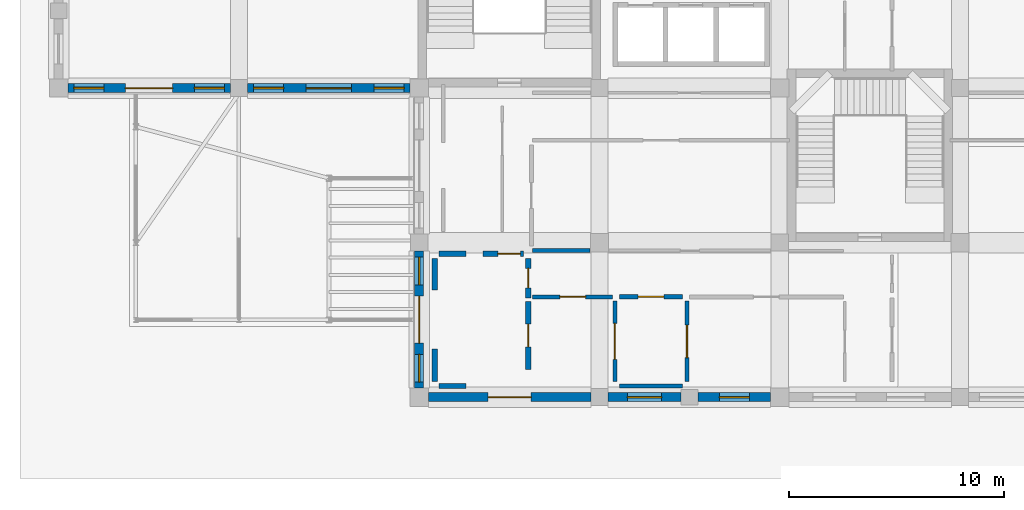
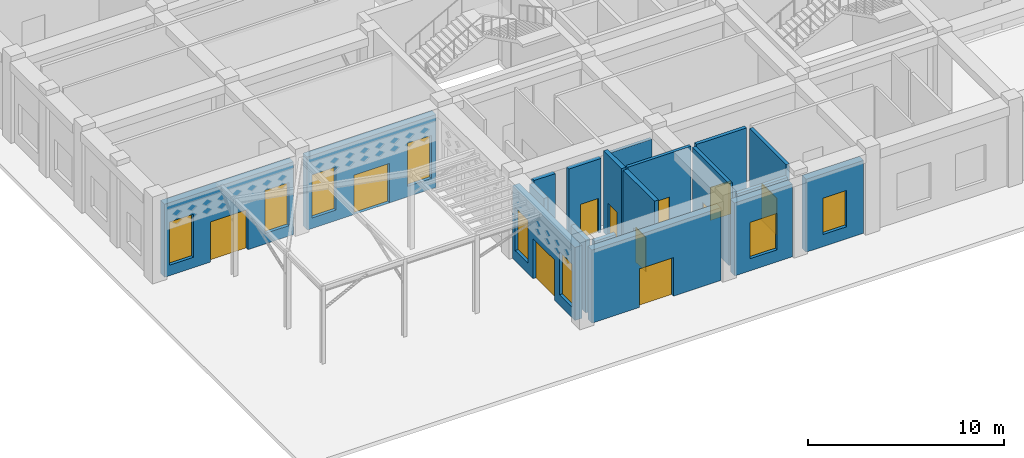
# One storey, part 59 of 84: 19 walls, 11 doors, 8 windows, 19 openings.
"""IFC4 building model written with IfcOpenShell, lengths in metres."""

import ifcopenshell
import ifcopenshell.guid

model = None  # the IFC model being written
_history = None  # IfcOwnerHistory: only IFC2X3 demands one
_inside = {}  # id of a spatial element -> (the spatial element, [elements in it])
_under = {}  # id of a project, library or spatial element -> (it, [spatial elements below it])
_declared = {}  # id of a project -> (the project, [libraries it declares])
_typed = {}  # id of a type object -> (the type object, [elements of that type])
_made_of = {}  # id of a material, layer set ... -> (it, [elements and type objects made of it])


def new_model(schema):
    """Start an empty IFC model of exactly this schema.

    Asked for "IFC4X3", IfcOpenShell would pick the latest addendum, in which some entities
    have other attributes; the version numbers below select the first issue.
    IFC2X3 requires an IfcOwnerHistory on every rooted entity: one is made here for all.
    """
    global model, _history
    if schema == "IFC4X3":
        model = ifcopenshell.file(schema_version=(4, 3, 0, 0))
    else:
        model = ifcopenshell.file(schema=schema)
    _inside.clear()
    _under.clear()
    _declared.clear()
    _typed.clear()
    _made_of.clear()
    _history = None
    if model.schema == "IFC2X3":
        org = make("IfcOrganization", Name="unknown")
        user = make(
            "IfcPersonAndOrganization",
            ThePerson=make("IfcPerson", FamilyName="unknown"),
            TheOrganization=org,
        )
        app = make(
            "IfcApplication",
            ApplicationDeveloper=org,
            Version="unknown",
            ApplicationFullName="unknown",
            ApplicationIdentifier="unknown",
        )
        _history = make(
            "IfcOwnerHistory",
            OwningUser=user,
            OwningApplication=app,
            ChangeAction="ADDED",
            CreationDate=0,
        )
    return model


def make(cls, **values):
    """One entity of the class cls with the attributes given. An attribute that is None is left unset."""
    return model.create_entity(
        cls, **{name: value for name, value in values.items() if value is not None}
    )


def rooted(cls, **values):
    """An entity with a GlobalId (a new one), such as an element, a storey or a relation."""
    return make(cls, GlobalId=ifcopenshell.guid.new(), OwnerHistory=_history, **values)


def si_unit(unit_type, name, prefix=None):
    """IfcSIUnit, for example si_unit("LENGTHUNIT", "METRE", prefix="MILLI")."""
    return make("IfcSIUnit", UnitType=unit_type, Prefix=prefix, Name=name)


def derived_unit(unit_type, elements):
    """IfcDerivedUnit: a product of units, each with its exponent."""
    return make(
        "IfcDerivedUnit",
        Elements=[
            make("IfcDerivedUnitElement", Unit=unit, Exponent=power)
            for unit, power in elements
        ],
        UnitType=unit_type,
    )


def assignment(units):
    """IfcUnitAssignment: the units of a project."""
    return None if units is None else make("IfcUnitAssignment", Units=units)


def point(xyz):
    """IfcCartesianPoint."""
    return None if xyz is None else make("IfcCartesianPoint", Coordinates=xyz)


def direction(xyz):
    """IfcDirection."""
    return None if xyz is None else make("IfcDirection", DirectionRatios=xyz)


def frame(location, z_axis=None, x_axis=None):
    """IfcAxis2Placement3D, a coordinate frame: its origin and axes. An axis left out is left unset."""
    return make(
        "IfcAxis2Placement3D",
        Location=point(location),
        Axis=direction(z_axis),
        RefDirection=direction(x_axis),
    )


def frame_2d(location, x_axis=None):
    """IfcAxis2Placement2D, a coordinate frame in the plane: its origin and x axis."""
    return make(
        "IfcAxis2Placement2D", Location=point(location), RefDirection=direction(x_axis)
    )


def origin():
    """The frame at (0, 0, 0) with its axes left unset."""
    return frame((0.0, 0.0, 0.0))


def place(relative_to, where):
    """IfcLocalPlacement: puts the frame where relative to a parent placement (None: the world)."""
    return make(
        "IfcLocalPlacement", PlacementRelTo=relative_to, RelativePlacement=where
    )


def context(
    kind, dimensions, precision=None, world=None, true_north=None, identifier=None
):
    """IfcGeometricRepresentationContext, for example the 3D "Model" context."""
    return make(
        "IfcGeometricRepresentationContext",
        ContextIdentifier=identifier,
        ContextType=kind,
        CoordinateSpaceDimension=dimensions,
        Precision=precision,
        WorldCoordinateSystem=world,
        TrueNorth=true_north,
    )


def subcontext(parent, identifier, kind, view, scale=None):
    """IfcGeometricRepresentationSubContext, for example "Body" below "Model"."""
    return make(
        "IfcGeometricRepresentationSubContext",
        ContextIdentifier=identifier,
        ContextType=kind,
        ParentContext=parent,
        TargetScale=scale,
        TargetView=view,
    )


def project(units=None, contexts=None):
    """IfcProject with its units and contexts."""
    return rooted(
        "IfcProject",
        Name="project",
        RepresentationContexts=contexts,
        UnitsInContext=assignment(units),
    )


def spatial(cls, under=None, at=None, **own):
    """A site, building, storey or space (cls), placed at a placement, below another one or the project."""
    s = rooted(cls, ObjectPlacement=at, **own)
    if under is not None:
        _under.setdefault(under.id(), (under, []))[1].append(s)
    return s


def profile(cls, at=None, kind="AREA", **sizes):
    """A parametric profile (cls). Its sizes go by their IFC names, for example OverallWidth=200.0."""
    return make(cls, ProfileType=kind, Position=at, **sizes)


def rectangle(**sizes):
    """IfcRectangleProfileDef."""
    return profile("IfcRectangleProfileDef", **sizes)


def extrude(swept, where, along, depth):
    """IfcExtrudedAreaSolid: the profile swept, set in the frame where, extruded along a direction by depth."""
    return make(
        "IfcExtrudedAreaSolid",
        SweptArea=swept,
        Position=where,
        ExtrudedDirection=direction(along),
        Depth=depth,
    )


def shape(context_of_items, identifier, shape_type, items):
    """IfcShapeRepresentation: the items that make up one representation, for example the "Body"."""
    return make(
        "IfcShapeRepresentation",
        ContextOfItems=context_of_items,
        RepresentationIdentifier=identifier,
        RepresentationType=shape_type,
        Items=items,
    )


def material(Name=None, Category=None):
    """IfcMaterial."""
    return make("IfcMaterial", Name=Name, Category=Category)


def layer(
    of_material, thickness, ventilated=None, Name=None, Category=None, Priority=None
):
    """IfcMaterialLayer: one layer of a wall or slab, of a material (None: an air gap)."""
    return make(
        "IfcMaterialLayer",
        Material=of_material,
        LayerThickness=thickness,
        IsVentilated=ventilated,
        Name=Name,
        Category=Category,
        Priority=Priority,
    )


def layer_set(layers, Name=None):
    """IfcMaterialLayerSet."""
    return make("IfcMaterialLayerSet", MaterialLayers=layers, LayerSetName=Name)


def made_of(thing, what):
    """Note that an element or type object is made of a material, layer set ...; save() writes the relation."""
    if what is not None:
        _made_of.setdefault(what.id(), (what, []))[1].append(thing)
    return thing


def type_object(cls, material=None, **own):
    """A type object (cls), such as IfcWallType, which elements share."""
    return made_of(rooted(cls, **own), material)


def element(
    cls,
    number,
    at=None,
    inside=None,
    cuts=None,
    type_object=None,
    material=None,
    context=None,
    identifier="Body",
    shape_type=None,
    held_by="IfcProductDefinitionShape",
    body=None,
    shapes=None,
    **own,
):
    """One element of the class cls, such as IfcWall. Its Tag is "e" and its number.

    at: its placement. inside: the storey or other place that contains it. cuts: it is an
    opening in that element (IfcRelVoidsElement). A single representation is given by context,
    identifier, shape_type and body (its items); several are given by shapes. held_by: the class
    of the entity that holds the representations. save() writes the other relations.
    """
    e = rooted(cls, Tag="e%d" % number, ObjectPlacement=at, **own)
    if body is not None:
        shapes = [shape(context, identifier, shape_type, body)]
    if shapes is not None:
        e.Representation = make(held_by, Representations=shapes)
    if inside is not None:
        _inside.setdefault(inside.id(), (inside, []))[1].append(e)
    if cuts is not None:
        rooted(
            "IfcRelVoidsElement", RelatingBuildingElement=cuts, RelatedOpeningElement=e
        )
    if type_object is not None:
        _typed.setdefault(type_object.id(), (type_object, []))[1].append(e)
    return made_of(e, material)


def fill(opening, filler):
    """IfcRelFillsElement: the door or window that sits in an opening."""
    return rooted(
        "IfcRelFillsElement",
        RelatingOpeningElement=opening,
        RelatedBuildingElement=filler,
    )


def aggregate(whole, parts):
    """IfcRelAggregates: a whole, such as a stair, and the parts it consists of."""
    return rooted("IfcRelAggregates", RelatingObject=whole, RelatedObjects=parts)


def save(model, path):
    """Write the relations noted so far, then the file.

    IfcRelAggregates (storeys below a building ...), IfcRelContainedInSpatialStructure (elements
    in a storey), IfcRelDefinesByType, IfcRelAssociatesMaterial and IfcRelDeclares: one each for
    every whole, place, type object, material and project.
    """
    for whole, parts in _under.values():
        aggregate(whole, parts)
    for where, things in _inside.values():
        rooted(
            "IfcRelContainedInSpatialStructure",
            RelatedElements=things,
            RelatingStructure=where,
        )
    for kind, things in _typed.values():
        rooted("IfcRelDefinesByType", RelatedObjects=things, RelatingType=kind)
    for what, things in _made_of.values():
        rooted("IfcRelAssociatesMaterial", RelatedObjects=things, RelatingMaterial=what)
    for by, libraries in _declared.values():
        rooted("IfcRelDeclares", RelatingContext=by, RelatedDefinitions=libraries)
    model.write(path)


model = new_model("IFC4")

# Units and contexts
model_context = context("Model", 3, precision=1e-05, world=origin(), true_north=direction((0.0, 1.0)))
body_context = subcontext(model_context, "Body", "Model", "MODEL_VIEW")
ifc_project = project(units=[si_unit("LENGTHUNIT", "METRE"), si_unit("AREAUNIT", "SQUARE_METRE"), si_unit("VOLUMEUNIT", "CUBIC_METRE"), si_unit("PLANEANGLEUNIT", "RADIAN"), si_unit("MASSUNIT", "GRAM", prefix="KILO"), derived_unit("THERMALTRANSMITTANCEUNIT", [(si_unit("POWERUNIT", "WATT"), 1), (si_unit("LENGTHUNIT", "METRE"), -2), (si_unit("THERMODYNAMICTEMPERATUREUNIT", "KELVIN"), -1)])], contexts=[model_context])

# Site, building, storey
site_placement = place(None, origin())
site = spatial("IfcSite", under=ifc_project, at=site_placement, CompositionType="ELEMENT")
building_placement = place(site_placement, origin())
building = spatial("IfcBuilding", under=site, at=building_placement, Name="Veybourne Emporium", CompositionType="ELEMENT")
storey_placement = place(building_placement, origin())
storey = spatial("IfcBuildingStorey", under=building, at=storey_placement, Name="L00", CompositionType="ELEMENT", Elevation=0.0)

# Wall, openings, door, windows
ifc_material_1 = material(Name="Honed Black Granite Plinth", Category="masonry")
ifc_layer_1 = layer(ifc_material_1, 0.419921875)
ifc_layer_set_1 = layer_set([ifc_layer_1], Name="Honed Black Granite Plinth")
wall_type_1 = type_object("IfcWallType", Name="ExtWall_EW-02", PredefinedType="SOLIDWALL", material=ifc_layer_set_1)
wall_1_placement = place(storey_placement, frame((8.0, 14.39990234375, 0.0), z_axis=(0.0, 0.0, 1.0), x_axis=(-1.0, 0.0, 0.0)))
wall_1 = element("IfcWall", 1, at=wall_1_placement, inside=storey, type_object=wall_type_1, Name="Ground street granite plinth entrance wall 001", PredefinedType="SOLIDWALL", context=body_context, shape_type="SweptSolid", body=[
    extrude(rectangle(XDim=7.574951171875, YDim=0.419921875, at=frame_2d((3.78759765625, 0.0))), origin(), (0.0, 0.0, 1.0), 4.530029296875),
])
opening_1_placement = place(wall_1_placement, frame((2.6875, 0.0, 0.0)))
opening_1 = element("IfcOpeningElement", 2, at=opening_1_placement, cuts=wall_1, Name="Opening EX-02", PredefinedType="OPENING", context=body_context, shape_type="SweptSolid", body=[
    extrude(rectangle(XDim=2.199951171875, YDim=2.5, at=frame_2d((1.10009765625, 1.25))), frame((0.0, 0.22998046875, 0.0), z_axis=(0.0, -1.0, 0.0), x_axis=(1.0, 0.0, 0.0)), (0.0, 0.0, 1.0), 0.4599609375),
])
opening_2_placement = place(wall_1_placement, frame((0.280029296875, 0.0, 0.64990234375)))
opening_2 = element("IfcOpeningElement", 3, at=opening_2_placement, cuts=wall_1, Name="Opening W-10", PredefinedType="OPENING", context=body_context, shape_type="SweptSolid", body=[
    extrude(rectangle(XDim=1.39990234375, YDim=2.679931640625, at=frame_2d((0.699951171875, 1.33984375))), frame((0.0, 0.22998046875, 0.0), z_axis=(0.0, -1.0, 0.0), x_axis=(1.0, 0.0, 0.0)), (0.0, 0.0, 1.0), 0.4599609375),
])
opening_3_placement = place(wall_1_placement, frame((5.89501953125, 0.0, 0.64990234375)))
opening_3 = element("IfcOpeningElement", 4, at=opening_3_placement, cuts=wall_1, Name="Opening W-10", PredefinedType="OPENING", context=body_context, shape_type="SweptSolid", body=[
    extrude(rectangle(XDim=1.39990234375, YDim=2.679931640625, at=frame_2d((0.699951171875, 1.33984375))), frame((0.0, 0.22998046875, 0.0), z_axis=(0.0, -1.0, 0.0), x_axis=(1.0, 0.0, 0.0)), (0.0, 0.0, 1.0), 0.4599609375),
])
ifc_material_2 = material(Name="Patinated Architectural Bronze", Category="bronze")
door_type_1 = type_object("IfcDoorType", Name="ExitDoor_EX-02", OperationType="DOUBLE_DOOR_SINGLE_SWING", PredefinedType="DOOR", material=ifc_material_2)
door_1_placement = place(opening_1_placement, origin())
door_1 = element("IfcDoor", 5, at=door_1_placement, inside=storey, type_object=door_type_1, Name="Pedestrian final exit door EX-02 #01", OperationType="DOUBLE_DOOR_SINGLE_SWING", OverallHeight=2.5, OverallWidth=2.199951171875, PredefinedType="DOOR", context=body_context, shape_type="SweptSolid", body=[
    extrude(rectangle(XDim=2.199951171875, YDim=2.5, at=frame_2d((1.10009765625, 1.25))), frame((0.0, 0.02490234375, 0.0), z_axis=(0.0, -1.0, 0.0), x_axis=(1.0, 0.0, 0.0)), (0.0, 0.0, 1.0), 0.050048828125),
])
fill(opening_1, door_1)
ifc_material_3 = material(Name="Low-E Triple Glazing", Category="glass")
window_type_1 = type_object("IfcWindowType", Name="Win_W-10", PartitioningType="DOUBLE_PANEL_VERTICAL", PredefinedType="WINDOW", material=ifc_material_3)
window_1_placement = place(opening_2_placement, origin())
window_1 = element("IfcWindow", 6, at=window_1_placement, inside=storey, type_object=window_type_1, Name="Corner entrance glazed sidelight L00-001.1", OverallHeight=2.679931640625, OverallWidth=1.39990234375, PartitioningType="DOUBLE_PANEL_VERTICAL", PredefinedType="WINDOW", context=body_context, shape_type="SweptSolid", body=[
    extrude(rectangle(XDim=1.39990234375, YDim=2.679931640625, at=frame_2d((0.699951171875, 1.33984375))), frame((0.0, 0.030029296875, 0.0), z_axis=(0.0, -1.0, 0.0), x_axis=(1.0, 0.0, 0.0)), (0.0, 0.0, 1.0), 0.06005859375),
])
fill(opening_2, window_1)
window_2_placement = place(opening_3_placement, origin())
window_2 = element("IfcWindow", 7, at=window_2_placement, inside=storey, type_object=window_type_1, Name="Corner entrance glazed sidelight L00-001.2", OverallHeight=2.679931640625, OverallWidth=1.39990234375, PartitioningType="DOUBLE_PANEL_VERTICAL", PredefinedType="WINDOW", context=body_context, shape_type="SweptSolid", body=[
    extrude(rectangle(XDim=1.39990234375, YDim=2.679931640625, at=frame_2d((0.699951171875, 1.33984375))), frame((0.0, 0.030029296875, 0.0), z_axis=(0.0, -1.0, 0.0), x_axis=(1.0, 0.0, 0.0)), (0.0, 0.0, 1.0), 0.06005859375),
])
fill(opening_3, window_2)

wall_2_placement = place(storey_placement, frame((16.375, 14.39990234375, 0.0), z_axis=(0.0, 0.0, 1.0), x_axis=(-1.0, 0.0, 0.0)))
wall_2 = element("IfcWall", 8, at=wall_2_placement, inside=storey, type_object=wall_type_1, Name="Ground street granite plinth entrance wall 012", PredefinedType="SOLIDWALL", context=body_context, shape_type="SweptSolid", body=[
    extrude(rectangle(XDim=7.574951171875, YDim=0.419921875, at=frame_2d((3.78759765625, 0.0))), origin(), (0.0, 0.0, 1.0), 4.530029296875),
])
opening_4_placement = place(wall_2_placement, frame((2.737548828125, 0.0, 0.0)))
opening_4 = element("IfcOpeningElement", 9, at=opening_4_placement, cuts=wall_2, Name="Opening EX-05", PredefinedType="OPENING", context=body_context, shape_type="SweptSolid", body=[
    extrude(rectangle(XDim=2.10009765625, YDim=2.449951171875, at=frame_2d((1.050048828125, 1.22509765625))), frame((0.0, 0.22998046875, 0.0), z_axis=(0.0, -1.0, 0.0), x_axis=(1.0, 0.0, 0.0)), (0.0, 0.0, 1.0), 0.4599609375),
])
opening_5_placement = place(wall_2_placement, frame((0.280029296875, 0.0, 0.64990234375)))
opening_5 = element("IfcOpeningElement", 10, at=opening_5_placement, cuts=wall_2, Name="Opening W-10", PredefinedType="OPENING", context=body_context, shape_type="SweptSolid", body=[
    extrude(rectangle(XDim=1.39990234375, YDim=2.679931640625, at=frame_2d((0.699951171875, 1.33984375))), frame((0.0, 0.22998046875, 0.0), z_axis=(0.0, -1.0, 0.0), x_axis=(1.0, 0.0, 0.0)), (0.0, 0.0, 1.0), 0.4599609375),
])
opening_6_placement = place(wall_2_placement, frame((5.89501953125, 0.0, 0.64990234375)))
opening_6 = element("IfcOpeningElement", 11, at=opening_6_placement, cuts=wall_2, Name="Opening W-10", PredefinedType="OPENING", context=body_context, shape_type="SweptSolid", body=[
    extrude(rectangle(XDim=1.39990234375, YDim=2.679931640625, at=frame_2d((0.699951171875, 1.33984375))), frame((0.0, 0.22998046875, 0.0), z_axis=(0.0, -1.0, 0.0), x_axis=(1.0, 0.0, 0.0)), (0.0, 0.0, 1.0), 0.4599609375),
])
door_type_2 = type_object("IfcDoorType", Name="ExitDoor_EX-05", OperationType="DOUBLE_DOOR_SINGLE_SWING", PredefinedType="DOOR", material=ifc_material_2)
door_2_placement = place(opening_4_placement, origin())
door_2 = element("IfcDoor", 12, at=door_2_placement, inside=storey, type_object=door_type_2, Name="Pedestrian final exit door EX-05 #04", OperationType="DOUBLE_DOOR_SINGLE_SWING", OverallHeight=2.449951171875, OverallWidth=2.10009765625, PredefinedType="DOOR", context=body_context, shape_type="SweptSolid", body=[
    extrude(rectangle(XDim=2.10009765625, YDim=2.449951171875, at=frame_2d((1.050048828125, 1.22509765625))), frame((0.0, 0.02490234375, 0.0), z_axis=(0.0, -1.0, 0.0), x_axis=(1.0, 0.0, 0.0)), (0.0, 0.0, 1.0), 0.050048828125),
])
fill(opening_4, door_2)
window_3_placement = place(opening_5_placement, origin())
window_3 = element("IfcWindow", 13, at=window_3_placement, inside=storey, type_object=window_type_1, Name="Corner entrance glazed sidelight L00-012.1", OverallHeight=2.679931640625, OverallWidth=1.39990234375, PartitioningType="DOUBLE_PANEL_VERTICAL", PredefinedType="WINDOW", context=body_context, shape_type="SweptSolid", body=[
    extrude(rectangle(XDim=1.39990234375, YDim=2.679931640625, at=frame_2d((0.699951171875, 1.33984375))), frame((0.0, 0.030029296875, 0.0), z_axis=(0.0, -1.0, 0.0), x_axis=(1.0, 0.0, 0.0)), (0.0, 0.0, 1.0), 0.06005859375),
])
fill(opening_5, window_3)
window_4_placement = place(opening_6_placement, origin())
window_4 = element("IfcWindow", 14, at=window_4_placement, inside=storey, type_object=window_type_1, Name="Corner entrance glazed sidelight L00-012.2", OverallHeight=2.679931640625, OverallWidth=1.39990234375, PartitioningType="DOUBLE_PANEL_VERTICAL", PredefinedType="WINDOW", context=body_context, shape_type="SweptSolid", body=[
    extrude(rectangle(XDim=1.39990234375, YDim=2.679931640625, at=frame_2d((0.699951171875, 1.33984375))), frame((0.0, 0.030029296875, 0.0), z_axis=(0.0, -1.0, 0.0), x_axis=(1.0, 0.0, 0.0)), (0.0, 0.0, 1.0), 0.06005859375),
])
fill(opening_6, window_4)

# Wall, opening, door
wall_3_placement = place(storey_placement, frame((24.800048828125, 0.0, 0.0), z_axis=(0.0, 0.0, 1.0), x_axis=(-1.0, 0.0, 0.0)))
wall_3 = element("IfcWall", 15, at=wall_3_placement, inside=storey, type_object=wall_type_1, Name="Ground street granite plinth entrance wall 014", PredefinedType="SOLIDWALL", context=body_context, shape_type="SweptSolid", body=[
    extrude(rectangle(XDim=7.574951171875, YDim=0.419921875, at=frame_2d((3.78759765625, 0.0))), origin(), (0.0, 0.0, 1.0), 4.530029296875),
])
opening_7_placement = place(wall_3_placement, frame((2.78759765625, 0.0, 0.0)))
opening_7 = element("IfcOpeningElement", 16, at=opening_7_placement, cuts=wall_3, Name="Opening EX-01", PredefinedType="OPENING", context=body_context, shape_type="SweptSolid", body=[
    extrude(rectangle(XDim=2.0, YDim=2.39990234375, at=frame_2d((1.0, 1.199951171875))), frame((0.0, 0.22998046875, 0.0), z_axis=(0.0, -1.0, 0.0), x_axis=(1.0, 0.0, 0.0)), (0.0, 0.0, 1.0), 0.4599609375),
])
door_type_3 = type_object("IfcDoorType", Name="ExitDoor_EX-01", OperationType="DOUBLE_DOOR_SINGLE_SWING", PredefinedType="DOOR", material=ifc_material_2)
door_3_placement = place(opening_7_placement, origin())
door_3 = element("IfcDoor", 17, at=door_3_placement, inside=storey, type_object=door_type_3, Name="Pedestrian final exit door EX-01 #06", OperationType="DOUBLE_DOOR_SINGLE_SWING", OverallHeight=2.39990234375, OverallWidth=2.0, PredefinedType="DOOR", context=body_context, shape_type="SweptSolid", body=[
    extrude(rectangle(XDim=2.0, YDim=2.39990234375, at=frame_2d((1.0, 1.199951171875))), frame((0.0, 0.02490234375, 0.0), z_axis=(0.0, -1.0, 0.0), x_axis=(1.0, 0.0, 0.0)), (0.0, 0.0, 1.0), 0.050048828125),
])
fill(opening_7, door_3)

# Wall, openings, door, windows
wall_4_placement = place(storey_placement, frame((16.800048828125, 0.425048828125, 0.0), z_axis=(0.0, 0.0, 1.0), x_axis=(0.0, 1.0, 0.0)))
wall_4 = element("IfcWall", 18, at=wall_4_placement, inside=storey, type_object=wall_type_1, Name="Ground street granite plinth entrance wall 015", PredefinedType="SOLIDWALL", context=body_context, shape_type="SweptSolid", body=[
    extrude(rectangle(XDim=6.375, YDim=0.419921875, at=frame_2d((3.1875, 0.0))), origin(), (0.0, 0.0, 1.0), 4.530029296875),
])
opening_8_placement = place(wall_4_placement, frame((2.08740234375, 0.0, 0.0)))
opening_8 = element("IfcOpeningElement", 19, at=opening_8_placement, cuts=wall_4, Name="Opening EX-02", PredefinedType="OPENING", context=body_context, shape_type="SweptSolid", body=[
    extrude(rectangle(XDim=2.199951171875, YDim=2.5, at=frame_2d((1.10009765625, 1.25))), frame((0.0, 0.22998046875, 0.0), z_axis=(0.0, -1.0, 0.0), x_axis=(1.0, 0.0, 0.0)), (0.0, 0.0, 1.0), 0.4599609375),
])
opening_9_placement = place(wall_4_placement, frame((0.280029296875, 0.0, 0.64990234375)))
opening_9 = element("IfcOpeningElement", 20, at=opening_9_placement, cuts=wall_4, Name="Opening W-10", PredefinedType="OPENING", context=body_context, shape_type="SweptSolid", body=[
    extrude(rectangle(XDim=1.2900390625, YDim=2.679931640625, at=frame_2d((0.64501953125, 1.33984375))), frame((0.0, 0.22998046875, 0.0), z_axis=(0.0, -1.0, 0.0), x_axis=(1.0, 0.0, 0.0)), (0.0, 0.0, 1.0), 0.4599609375),
])
opening_10_placement = place(wall_4_placement, frame((4.804931640625, 0.0, 0.64990234375)))
opening_10 = element("IfcOpeningElement", 21, at=opening_10_placement, cuts=wall_4, Name="Opening W-10", PredefinedType="OPENING", context=body_context, shape_type="SweptSolid", body=[
    extrude(rectangle(XDim=1.2900390625, YDim=2.679931640625, at=frame_2d((0.64501953125, 1.33984375))), frame((0.0, 0.22998046875, 0.0), z_axis=(0.0, -1.0, 0.0), x_axis=(1.0, 0.0, 0.0)), (0.0, 0.0, 1.0), 0.4599609375),
])
door_4_placement = place(opening_8_placement, origin())
door_4 = element("IfcDoor", 22, at=door_4_placement, inside=storey, type_object=door_type_1, Name="Pedestrian final exit door EX-02 #07", OperationType="DOUBLE_DOOR_SINGLE_SWING", OverallHeight=2.5, OverallWidth=2.199951171875, PredefinedType="DOOR", context=body_context, shape_type="SweptSolid", body=[
    extrude(rectangle(XDim=2.199951171875, YDim=2.5, at=frame_2d((1.10009765625, 1.25))), frame((0.0, 0.02490234375, 0.0), z_axis=(0.0, -1.0, 0.0), x_axis=(1.0, 0.0, 0.0)), (0.0, 0.0, 1.0), 0.050048828125),
])
fill(opening_8, door_4)
window_5_placement = place(opening_9_placement, origin())
window_5 = element("IfcWindow", 23, at=window_5_placement, inside=storey, type_object=window_type_1, Name="Corner entrance glazed sidelight L00-015.1", OverallHeight=2.679931640625, OverallWidth=1.2900390625, PartitioningType="DOUBLE_PANEL_VERTICAL", PredefinedType="WINDOW", context=body_context, shape_type="SweptSolid", body=[
    extrude(rectangle(XDim=1.2900390625, YDim=2.679931640625, at=frame_2d((0.64501953125, 1.33984375))), frame((0.0, 0.030029296875, 0.0), z_axis=(0.0, -1.0, 0.0), x_axis=(1.0, 0.0, 0.0)), (0.0, 0.0, 1.0), 0.06005859375),
])
fill(opening_9, window_5)
window_6_placement = place(opening_10_placement, origin())
window_6 = element("IfcWindow", 24, at=window_6_placement, inside=storey, type_object=window_type_1, Name="Corner entrance glazed sidelight L00-015.2", OverallHeight=2.679931640625, OverallWidth=1.2900390625, PartitioningType="DOUBLE_PANEL_VERTICAL", PredefinedType="WINDOW", context=body_context, shape_type="SweptSolid", body=[
    extrude(rectangle(XDim=1.2900390625, YDim=2.679931640625, at=frame_2d((0.64501953125, 1.33984375))), frame((0.0, 0.030029296875, 0.0), z_axis=(0.0, -1.0, 0.0), x_axis=(1.0, 0.0, 0.0)), (0.0, 0.0, 1.0), 0.06005859375),
])
fill(opening_10, window_6)

# Wall, opening, window
wall_5_placement = place(storey_placement, frame((33.175048828125, 0.0, 0.0), z_axis=(0.0, 0.0, 1.0), x_axis=(-1.0, 0.0, 0.0)))
wall_5 = element("IfcWall", 25, at=wall_5_placement, inside=storey, type_object=wall_type_1, Name="L00 Portland stone external wall 019A", PredefinedType="SOLIDWALL", context=body_context, shape_type="SweptSolid", body=[
    extrude(rectangle(XDim=3.375, YDim=0.419921875, at=frame_2d((1.6875, 0.0))), origin(), (0.0, 0.0, 1.0), 4.530029296875),
])
opening_11_placement = place(wall_5_placement, frame((0.987548828125, 0.0, 0.75)))
opening_11 = element("IfcOpeningElement", 26, at=opening_11_placement, cuts=wall_5, Name="Opening W-18", PredefinedType="OPENING", context=body_context, shape_type="SweptSolid", body=[
    extrude(rectangle(XDim=1.39990234375, YDim=2.260009765625, at=frame_2d((0.699951171875, 1.1298828125))), frame((0.0, 0.22998046875, 0.0), z_axis=(0.0, -1.0, 0.0), x_axis=(1.0, 0.0, 0.0)), (0.0, 0.0, 1.0), 0.4599609375),
])
window_type_2 = type_object("IfcWindowType", Name="Win_W-18", PartitioningType="DOUBLE_PANEL_VERTICAL", PredefinedType="WINDOW", material=ifc_material_3)
window_7_placement = place(opening_11_placement, origin())
window_7 = element("IfcWindow", 27, at=window_7_placement, inside=storey, type_object=window_type_2, Name="L00 tripartite bronze casement window W-18 (19A)", OverallHeight=2.260009765625, OverallWidth=1.39990234375, PartitioningType="DOUBLE_PANEL_VERTICAL", PredefinedType="WINDOW", context=body_context, shape_type="SweptSolid", body=[
    extrude(rectangle(XDim=1.39990234375, YDim=2.260009765625, at=frame_2d((0.699951171875, 1.1298828125))), frame((0.0, 0.030029296875, 0.0), z_axis=(0.0, -1.0, 0.0), x_axis=(1.0, 0.0, 0.0)), (0.0, 0.0, 1.0), 0.06005859375),
])
fill(opening_11, window_7)

wall_6_placement = place(storey_placement, frame((29.0, 0.0, 0.0), z_axis=(0.0, 0.0, 1.0), x_axis=(-1.0, 0.0, 0.0)))
wall_6 = element("IfcWall", 28, at=wall_6_placement, inside=storey, type_object=wall_type_1, Name="L00 Portland stone external wall 019B", PredefinedType="SOLIDWALL", context=body_context, shape_type="SweptSolid", body=[
    extrude(rectangle(XDim=3.39990234375, YDim=0.419921875, at=frame_2d((1.699951171875, 0.0))), origin(), (0.0, 0.0, 1.0), 4.530029296875),
])
opening_12_placement = place(wall_6_placement, frame((0.89990234375, 0.0, 0.75)))
opening_12 = element("IfcOpeningElement", 29, at=opening_12_placement, cuts=wall_6, Name="Opening W-19", PredefinedType="OPENING", context=body_context, shape_type="SweptSolid", body=[
    extrude(rectangle(XDim=1.60009765625, YDim=2.260009765625, at=frame_2d((0.800048828125, 1.1298828125))), frame((0.0, 0.22998046875, 0.0), z_axis=(0.0, -1.0, 0.0), x_axis=(1.0, 0.0, 0.0)), (0.0, 0.0, 1.0), 0.4599609375),
])
window_type_3 = type_object("IfcWindowType", Name="Win_W-19", PartitioningType="DOUBLE_PANEL_VERTICAL", PredefinedType="WINDOW", material=ifc_material_3)
window_8_placement = place(opening_12_placement, origin())
window_8 = element("IfcWindow", 30, at=window_8_placement, inside=storey, type_object=window_type_3, Name="L00 tripartite bronze casement window W-19 (19B)", OverallHeight=2.260009765625, OverallWidth=1.60009765625, PartitioningType="DOUBLE_PANEL_VERTICAL", PredefinedType="WINDOW", context=body_context, shape_type="SweptSolid", body=[
    extrude(rectangle(XDim=1.60009765625, YDim=2.260009765625, at=frame_2d((0.800048828125, 1.1298828125))), frame((0.0, 0.030029296875, 0.0), z_axis=(0.0, -1.0, 0.0), x_axis=(1.0, 0.0, 0.0)), (0.0, 0.0, 1.0), 0.06005859375),
])
fill(opening_12, window_8)

# Wall, opening, door
ifc_material_4 = material(Name="Concrete C32/40", Category="concrete")
ifc_layer_2 = layer(ifc_material_4, 0.25)
ifc_layer_set_2 = layer_set([ifc_layer_2], Name="Concrete C32/40")
wall_type_2 = type_object("IfcWallType", Name="IntWall_FW-01", PredefinedType="SOLIDWALL", material=ifc_layer_set_2)
wall_7_placement = place(storey_placement, frame((21.8798828125, 1.2841796875, 0.0), z_axis=(0.0, 0.0, 1.0), x_axis=(0.0, 1.0, 0.0)))
wall_7 = element("IfcWall", 31, at=wall_7_placement, inside=storey, type_object=wall_type_2, Name="L00 interior partition FW-01 #129", PredefinedType="SOLIDWALL", context=body_context, shape_type="SweptSolid", body=[
    extrude(rectangle(XDim=3.17578125, YDim=0.25, at=frame_2d((1.587890625, 0.0))), origin(), (0.0, 0.0, 1.0), 5.080078125),
])
opening_13_placement = place(wall_7_placement, frame((1.06298828125, 0.0, 0.0)))
opening_13 = element("IfcOpeningElement", 32, at=opening_13_placement, cuts=wall_7, Name="Opening FD-02", PredefinedType="OPENING", context=body_context, shape_type="SweptSolid", body=[
    extrude(rectangle(XDim=1.050048828125, YDim=2.14990234375, at=frame_2d((0.52490234375, 1.074951171875))), frame((0.0, 0.14501953125, 0.0), z_axis=(0.0, -1.0, 0.0), x_axis=(1.0, 0.0, 0.0)), (0.0, 0.0, 1.0), 0.2900390625),
])
door_type_4 = type_object("IfcDoorType", Name="FireDoor_FD-02", OperationType="NOTDEFINED", PredefinedType="DOOR", material=ifc_material_2)
door_5_placement = place(opening_13_placement, origin())
door_5 = element("IfcDoor", 33, at=door_5_placement, inside=storey, type_object=door_type_4, Name="L00 interior door FD-02 (PART-L00-129)", OperationType="SINGLE_SWING_RIGHT", OverallHeight=2.14990234375, OverallWidth=1.050048828125, PredefinedType="DOOR", context=body_context, shape_type="SweptSolid", body=[
    extrude(rectangle(XDim=1.050048828125, YDim=2.14990234375, at=frame_2d((0.52490234375, 1.074951171875))), frame((0.0, 0.02490234375, 0.0), z_axis=(0.0, -1.0, 0.0), x_axis=(1.0, 0.0, 0.0)), (0.0, 0.0, 1.0), 0.050048828125),
])
fill(opening_13, door_5)

wall_8_placement = place(storey_placement, frame((19.77001953125, 6.679931640625, 0.0), z_axis=(0.0, 0.0, 1.0), x_axis=(1.0, 0.0, 0.0)))
wall_8 = element("IfcWall", 34, at=wall_8_placement, inside=storey, type_object=wall_type_2, Name="L00 interior partition FW-01 #175", PredefinedType="SOLIDWALL", context=body_context, shape_type="SweptSolid", body=[
    extrude(rectangle(XDim=1.89990234375, YDim=0.25, at=frame_2d((0.949951171875, 0.0))), origin(), (0.0, 0.0, 1.0), 4.580078125),
])
opening_14_placement = place(wall_8_placement, frame((0.697021484375, 0.0, 0.0)))
opening_14 = element("IfcOpeningElement", 35, at=opening_14_placement, cuts=wall_8, Name="Opening FD-02", PredefinedType="OPENING", context=body_context, shape_type="SweptSolid", body=[
    extrude(rectangle(XDim=1.050048828125, YDim=2.14990234375, at=frame_2d((0.52490234375, 1.074951171875))), frame((0.0, 0.14501953125, 0.0), z_axis=(0.0, -1.0, 0.0), x_axis=(1.0, 0.0, 0.0)), (0.0, 0.0, 1.0), 0.2900390625),
])
door_6_placement = place(opening_14_placement, frame((1.050048828125, 0.0, 0.0), z_axis=(0.0, 0.0, 1.0), x_axis=(-1.0, 0.0, 0.0)))
door_6 = element("IfcDoor", 36, at=door_6_placement, inside=storey, type_object=door_type_4, Name="L00 interior door FD-02 (PART-L00-175)", OperationType="SINGLE_SWING_RIGHT", OverallHeight=2.14990234375, OverallWidth=1.050048828125, PredefinedType="DOOR", context=body_context, shape_type="SweptSolid", body=[
    extrude(rectangle(XDim=1.050048828125, YDim=2.14990234375, at=frame_2d((0.52490234375, 1.074951171875))), frame((0.0, 0.02490234375, 0.0), z_axis=(0.0, -1.0, 0.0), x_axis=(1.0, 0.0, 0.0)), (0.0, 0.0, 1.0), 0.050048828125),
])
fill(opening_14, door_6)

wall_9_placement = place(storey_placement, frame((21.8798828125, 4.6201171875, 0.0), z_axis=(0.0, 0.0, 1.0), x_axis=(0.0, 1.0, 0.0)))
wall_9 = element("IfcWall", 37, at=wall_9_placement, inside=storey, type_object=wall_type_2, Name="L00 interior partition FW-01 #178", PredefinedType="SOLIDWALL", context=body_context, shape_type="SweptSolid", body=[
    extrude(rectangle(XDim=1.849853515625, YDim=0.25, at=frame_2d((0.9248046875, 0.0))), origin(), (0.0, 0.0, 1.0), 5.080078125),
])
opening_15_placement = place(wall_9_placement, frame((0.47509765625, 0.0, 0.0)))
opening_15 = element("IfcOpeningElement", 38, at=opening_15_placement, cuts=wall_9, Name="Opening FD-04", PredefinedType="OPENING", context=body_context, shape_type="SweptSolid", body=[
    extrude(rectangle(XDim=0.89990234375, YDim=2.10009765625, at=frame_2d((0.449951171875, 1.050048828125))), frame((0.0, 0.14501953125, 0.0), z_axis=(0.0, -1.0, 0.0), x_axis=(1.0, 0.0, 0.0)), (0.0, 0.0, 1.0), 0.2900390625),
])
door_type_5 = type_object("IfcDoorType", Name="FireDoor_FD-04", OperationType="NOTDEFINED", PredefinedType="DOOR", material=ifc_material_2)
door_7_placement = place(opening_15_placement, origin())
door_7 = element("IfcDoor", 39, at=door_7_placement, inside=storey, type_object=door_type_5, Name="L00 interior door FD-04 (PART-L00-178)", OperationType="SINGLE_SWING_LEFT", OverallHeight=2.10009765625, OverallWidth=0.89990234375, PredefinedType="DOOR", context=body_context, shape_type="SweptSolid", body=[
    extrude(rectangle(XDim=0.89990234375, YDim=2.10009765625, at=frame_2d((0.449951171875, 1.050048828125))), frame((0.0, 0.02490234375, 0.0), z_axis=(0.0, -1.0, 0.0), x_axis=(1.0, 0.0, 0.0)), (0.0, 0.0, 1.0), 0.050048828125),
])
fill(opening_15, door_7)

# Walls
wall_10_placement = place(storey_placement, frame((17.52001953125, 0.72998046875, 0.0), z_axis=(0.0, 0.0, 1.0), x_axis=(0.0, 1.0, 0.0)))
element("IfcWall", 40, at=wall_10_placement, inside=storey, type_object=wall_type_2, Name="L00 interior partition FW-01 #215", PredefinedType="SOLIDWALL", context=body_context, shape_type="SweptSolid", body=[
    extrude(rectangle(XDim=1.510498046875, YDim=0.25, at=frame_2d((0.75537109375, 0.0))), origin(), (0.0, 0.0, 1.0), 4.530029296875),
])
wall_11_placement = place(storey_placement, frame((17.52001953125, 4.984619140625, 0.0), z_axis=(0.0, 0.0, 1.0), x_axis=(0.0, 1.0, 0.0)))
element("IfcWall", 41, at=wall_11_placement, inside=storey, type_object=wall_type_2, Name="L00 interior partition FW-01 #216", PredefinedType="SOLIDWALL", context=body_context, shape_type="SweptSolid", body=[
    extrude(rectangle(XDim=1.4853515625, YDim=0.25, at=frame_2d((0.74267578125, 0.0))), origin(), (0.0, 0.0, 1.0), 4.530029296875),
])
wall_12_placement = place(storey_placement, frame((17.72998046875, 0.52001953125, 0.0), z_axis=(0.0, 0.0, 1.0), x_axis=(1.0, 0.0, 0.0)))
element("IfcWall", 42, at=wall_12_placement, inside=storey, type_object=wall_type_2, Name="L00 interior partition FW-01 #230", PredefinedType="SOLIDWALL", context=body_context, shape_type="SweptSolid", body=[
    extrude(rectangle(XDim=1.2529296875, YDim=0.25, at=frame_2d((0.62646484375, 0.0))), origin(), (0.0, 0.0, 1.0), 4.530029296875),
])
wall_13_placement = place(storey_placement, frame((17.72998046875, 6.679931640625, 0.0), z_axis=(0.0, 0.0, 1.0), x_axis=(1.0, 0.0, 0.0)))
element("IfcWall", 43, at=wall_13_placement, inside=storey, type_object=wall_type_2, Name="L00 interior partition FW-01 #231", PredefinedType="SOLIDWALL", context=body_context, shape_type="SweptSolid", body=[
    extrude(rectangle(XDim=1.2529296875, YDim=0.25, at=frame_2d((0.62646484375, 0.0))), origin(), (0.0, 0.0, 1.0), 4.580078125),
])
ifc_material_5 = material(Name="Gypsum Acoustic Board", Category="gypsum")
ifc_layer_3 = layer(ifc_material_5, 0.179931640625)
ifc_layer_set_3 = layer_set([ifc_layer_3], Name="Gypsum Acoustic Board")
wall_type_3 = type_object("IfcWallType", Name="IntWall_IW-01", PredefinedType="PARTITIONING", material=ifc_layer_set_3)
wall_14_placement = place(storey_placement, frame((22.080078125, 6.830078125, 0.0), z_axis=(0.0, 0.0, 1.0), x_axis=(1.0, 0.0, 0.0)))
element("IfcWall", 44, at=wall_14_placement, inside=storey, type_object=wall_type_3, Name="L00 interior partition IW-01 #038", PredefinedType="PARTITIONING", context=body_context, shape_type="SweptSolid", body=[
    extrude(rectangle(XDim=2.6748046875, YDim=0.179931640625, at=frame_2d((1.33740234375, 0.0))), origin(), (0.0, 0.0, 1.0), 4.580078125),
])

# Wall, opening, door
wall_15_placement = place(storey_placement, frame((22.090087890625, 4.669921875, 0.0), z_axis=(0.0, 0.0, 1.0), x_axis=(1.0, 0.0, 0.0)))
wall_15 = element("IfcWall", 45, at=wall_15_placement, inside=storey, type_object=wall_type_3, Name="L00 interior partition IW-01 #131", PredefinedType="PARTITIONING", context=body_context, shape_type="SweptSolid", body=[
    extrude(rectangle(XDim=3.724853515625, YDim=0.179931640625, at=frame_2d((1.8623046875, 0.0))), origin(), (0.0, 0.0, 1.0), 5.080078125),
])
opening_16_placement = place(wall_15_placement, frame((1.262451171875, 0.0, 0.0)))
opening_16 = element("IfcOpeningElement", 46, at=opening_16_placement, cuts=wall_15, Name="Opening D-27", PredefinedType="OPENING", context=body_context, shape_type="SweptSolid", body=[
    extrude(rectangle(XDim=1.199951171875, YDim=2.3701171875, at=frame_2d((0.60009765625, 1.18505859375))), frame((0.0, 0.10986328125, 0.0), z_axis=(0.0, -1.0, 0.0), x_axis=(1.0, 0.0, 0.0)), (0.0, 0.0, 1.0), 0.219970703125),
])
ifc_material_6 = material(Name="European Oak Veneer and Bronze", Category="wood")
door_type_6 = type_object("IfcDoorType", Name="IntDoor_D-27", OperationType="NOTDEFINED", PredefinedType="DOOR", material=ifc_material_6)
door_8_placement = place(opening_16_placement, frame((1.199951171875, 0.0, 0.0), z_axis=(0.0, 0.0, 1.0), x_axis=(-1.0, 0.0, 0.0)))
door_8 = element("IfcDoor", 47, at=door_8_placement, inside=storey, type_object=door_type_6, Name="L00 interior door D-27 (PART-L00-131)", OperationType="SINGLE_SWING_RIGHT", OverallHeight=2.3701171875, OverallWidth=1.199951171875, PredefinedType="DOOR", context=body_context, shape_type="SweptSolid", body=[
    extrude(rectangle(XDim=1.199951171875, YDim=2.3701171875, at=frame_2d((0.60009765625, 1.18505859375))), frame((0.0, 0.02490234375, 0.0), z_axis=(0.0, -1.0, 0.0), x_axis=(1.0, 0.0, 0.0)), (0.0, 0.0, 1.0), 0.050048828125),
])
fill(opening_16, door_8)

ifc_layer_4 = layer(ifc_material_5, 0.199951171875)
ifc_layer_set_4 = layer_set([ifc_layer_4], Name="Gypsum Acoustic Board")
wall_type_4 = type_object("IfcWallType", Name="IntWall_IW-04", PredefinedType="PLUMBINGWALL", material=ifc_layer_set_4)
wall_16_placement = place(storey_placement, frame((29.280029296875, 0.72998046875, 0.0), z_axis=(0.0, 0.0, 1.0), x_axis=(0.0, 1.0, 0.0)))
wall_16 = element("IfcWall", 48, at=wall_16_placement, inside=storey, type_object=wall_type_4, Name="L00 interior partition IW-04 #127", PredefinedType="PLUMBINGWALL", context=body_context, shape_type="SweptSolid", body=[
    extrude(rectangle(XDim=3.739990234375, YDim=0.199951171875, at=frame_2d((1.8701171875, 0.0))), origin(), (0.0, 0.0, 1.0), 5.080078125),
])
opening_17_placement = place(wall_16_placement, frame((1.110107421875, 0.0, 0.0)))
opening_17 = element("IfcOpeningElement", 49, at=opening_17_placement, cuts=wall_16, Name="Opening D-23", PredefinedType="OPENING", context=body_context, shape_type="SweptSolid", body=[
    extrude(rectangle(XDim=1.52001953125, YDim=2.2900390625, at=frame_2d((0.760009765625, 1.14501953125))), frame((0.0, 0.1201171875, 0.0), z_axis=(0.0, -1.0, 0.0), x_axis=(1.0, 0.0, 0.0)), (0.0, 0.0, 1.0), 0.239990234375),
])
door_type_7 = type_object("IfcDoorType", Name="IntDoor_D-23", OperationType="NOTDEFINED", PredefinedType="DOOR", material=ifc_material_6)
door_9_placement = place(opening_17_placement, origin())
door_9 = element("IfcDoor", 50, at=door_9_placement, inside=storey, type_object=door_type_7, Name="L00 interior door D-23 (PART-L00-127)", OperationType="SINGLE_SWING_LEFT", OverallHeight=2.2900390625, OverallWidth=1.52001953125, PredefinedType="DOOR", context=body_context, shape_type="SweptSolid", body=[
    extrude(rectangle(XDim=1.52001953125, YDim=2.2900390625, at=frame_2d((0.760009765625, 1.14501953125))), frame((0.0, 0.02490234375, 0.0), z_axis=(0.0, -1.0, 0.0), x_axis=(1.0, 0.0, 0.0)), (0.0, 0.0, 1.0), 0.050048828125),
])
fill(opening_17, door_9)

wall_17_placement = place(storey_placement, frame((25.919921875, 0.72998046875, 0.0), z_axis=(0.0, 0.0, 1.0), x_axis=(0.0, 1.0, 0.0)))
wall_17 = element("IfcWall", 51, at=wall_17_placement, inside=storey, type_object=wall_type_4, Name="L00 interior partition IW-04 #128", PredefinedType="PLUMBINGWALL", context=body_context, shape_type="SweptSolid", body=[
    extrude(rectangle(XDim=3.739990234375, YDim=0.199951171875, at=frame_2d((1.8701171875, 0.0))), origin(), (0.0, 0.0, 1.0), 5.080078125),
])
opening_18_placement = place(wall_17_placement, frame((1.030029296875, 0.0, 0.0)))
opening_18 = element("IfcOpeningElement", 52, at=opening_18_placement, cuts=wall_17, Name="Opening D-24", PredefinedType="OPENING", context=body_context, shape_type="SweptSolid", body=[
    extrude(rectangle(XDim=1.679931640625, YDim=2.2900390625, at=frame_2d((0.83984375, 1.14501953125))), frame((0.0, 0.1201171875, 0.0), z_axis=(0.0, -1.0, 0.0), x_axis=(1.0, 0.0, 0.0)), (0.0, 0.0, 1.0), 0.239990234375),
])
door_type_8 = type_object("IfcDoorType", Name="IntDoor_D-24", OperationType="DOUBLE_DOOR_SINGLE_SWING", PredefinedType="DOOR", material=ifc_material_6)
door_10_placement = place(opening_18_placement, origin())
door_10 = element("IfcDoor", 53, at=door_10_placement, inside=storey, type_object=door_type_8, Name="L00 interior door D-24 (PART-L00-128)", OperationType="DOUBLE_DOOR_SINGLE_SWING", OverallHeight=2.2900390625, OverallWidth=1.679931640625, PredefinedType="DOOR", context=body_context, shape_type="SweptSolid", body=[
    extrude(rectangle(XDim=1.679931640625, YDim=2.2900390625, at=frame_2d((0.83984375, 1.14501953125))), frame((0.0, 0.02490234375, 0.0), z_axis=(0.0, -1.0, 0.0), x_axis=(1.0, 0.0, 0.0)), (0.0, 0.0, 1.0), 0.050048828125),
])
fill(opening_18, door_10)

wall_18_placement = place(storey_placement, frame((26.1298828125, 4.679931640625, 0.0), z_axis=(0.0, 0.0, 1.0), x_axis=(1.0, 0.0, 0.0)))
wall_18 = element("IfcWall", 54, at=wall_18_placement, inside=storey, type_object=wall_type_4, Name="L00 interior partition IW-04 #143", PredefinedType="PLUMBINGWALL", context=body_context, shape_type="SweptSolid", body=[
    extrude(rectangle(XDim=2.940185546875, YDim=0.199951171875, at=frame_2d((1.47021484375, 0.0))), origin(), (0.0, 0.0, 1.0), 5.080078125),
])
opening_19_placement = place(wall_18_placement, frame((0.8701171875, 0.0, 0.0)))
opening_19 = element("IfcOpeningElement", 55, at=opening_19_placement, cuts=wall_18, Name="Opening D-03", PredefinedType="OPENING", context=body_context, shape_type="SweptSolid", body=[
    extrude(rectangle(XDim=1.199951171875, YDim=2.050048828125, at=frame_2d((0.60009765625, 1.02490234375))), frame((0.0, 0.1201171875, 0.0), z_axis=(0.0, -1.0, 0.0), x_axis=(1.0, 0.0, 0.0)), (0.0, 0.0, 1.0), 0.239990234375),
])
door_type_9 = type_object("IfcDoorType", Name="IntDoor_D-03", OperationType="NOTDEFINED", PredefinedType="DOOR", material=ifc_material_6)
door_11_placement = place(opening_19_placement, frame((1.199951171875, 0.0, 0.0), z_axis=(0.0, 0.0, 1.0), x_axis=(-1.0, 0.0, 0.0)))
door_11 = element("IfcDoor", 56, at=door_11_placement, inside=storey, type_object=door_type_9, Name="L00 interior door D-03 (PART-L00-143)", OperationType="SINGLE_SWING_LEFT", OverallHeight=2.050048828125, OverallWidth=1.199951171875, PredefinedType="DOOR", context=body_context, shape_type="SweptSolid", body=[
    extrude(rectangle(XDim=1.199951171875, YDim=2.050048828125, at=frame_2d((0.60009765625, 1.02490234375))), frame((0.0, 0.02490234375, 0.0), z_axis=(0.0, -1.0, 0.0), x_axis=(1.0, 0.0, 0.0)), (0.0, 0.0, 1.0), 0.050048828125),
])
fill(opening_19, door_11)

# Wall
wall_19_placement = place(storey_placement, frame((26.1298828125, 0.52001953125, 0.0), z_axis=(0.0, 0.0, 1.0), x_axis=(1.0, 0.0, 0.0)))
element("IfcWall", 57, at=wall_19_placement, inside=storey, type_object=wall_type_4, Name="L00 interior partition IW-04 #144", PredefinedType="PLUMBINGWALL", context=body_context, shape_type="SweptSolid", body=[
    extrude(rectangle(XDim=2.940185546875, YDim=0.199951171875, at=frame_2d((1.47021484375, 0.0))), origin(), (0.0, 0.0, 1.0), 4.530029296875),
])

save(model, "model.ifc")
